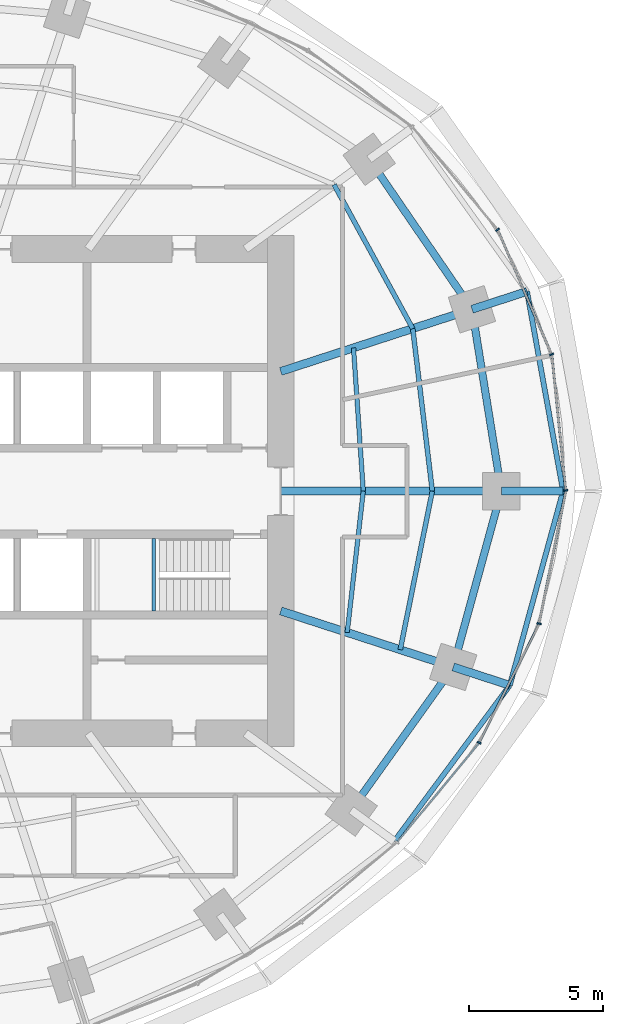
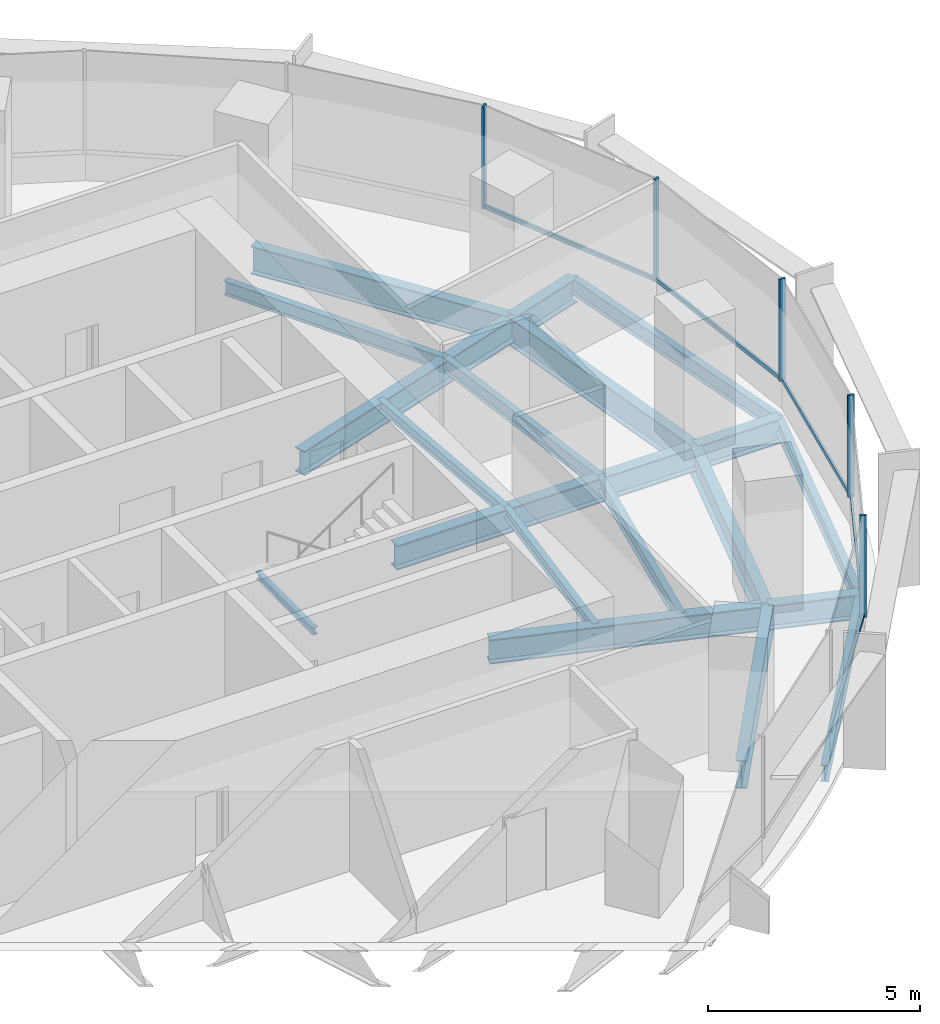
# One storey, part 6 of 15: 19 beams, 10 members, 2 elements without a shape of their own.
"""IFC4 building model written with IfcOpenShell, lengths in metres."""

from ifc_helpers import new_model, si_unit, direction, frame, origin, origin_2d, place, context, subcontext, project, spatial, rectangle, i_section, extrude, material, material_profile, profile_set, type_object, element, aggregate, save


model = new_model("IFC4")

# Units and contexts
model_context = context("Model", 3, precision=1e-05, world=origin(), true_north=direction((0.0, 1.0)))
body_context = subcontext(model_context, "Body", "Model", "MODEL_VIEW")
ifc_project = project(units=[si_unit("LENGTHUNIT", "METRE"), si_unit("AREAUNIT", "SQUARE_METRE"), si_unit("VOLUMEUNIT", "CUBIC_METRE"), si_unit("PLANEANGLEUNIT", "RADIAN"), si_unit("MASSUNIT", "GRAM", prefix="KILO")], contexts=[model_context])

# Site, building, storey
site_placement = place(None, origin())
site = spatial("IfcSite", under=ifc_project, at=site_placement, CompositionType="ELEMENT")
building_placement = place(site_placement, origin())
building = spatial("IfcBuilding", under=site, at=building_placement, Name="Marramba Exchange Tower", CompositionType="ELEMENT")
storey_placement = place(building_placement, frame((0.0, 0.0, 230.60009765625)))
storey = spatial("IfcBuildingStorey", under=building, at=storey_placement, Name="L56", CompositionType="ELEMENT", Elevation=230.60009765625)

# Beams
ifc_material_1 = material(Name="Steel AS/NZS 3679.2 grade 300", Category="steel")
ifc_material_profile_1 = material_profile(ifc_material_1, i_section(OverallWidth=0.300048828125, OverallDepth=0.699951171875, WebThickness=0.010009765625, FlangeThickness=0.031982421875, at=origin_2d()), Name="700WB173")
ifc_profile_set_1 = profile_set([ifc_material_profile_1], Name="Steel AS/NZS 3679.2 grade 300")
beam_type_1 = type_object("IfcBeamType", Name="Cantilever girder 700WB173", PredefinedType="BEAM", material=ifc_profile_set_1)
beam_1_placement = place(storey_placement, frame((21.89990234375, 0.0, -0.510009765625), z_axis=(1.0, 0.0, 0.0), x_axis=(0.0, 1.0, 0.0)))
element("IfcBeam", 1, at=beam_1_placement, inside=storey, type_object=beam_type_1, Name="Cantilever girder L56 TC01", PredefinedType="BEAM", context=body_context, shape_type="SweptSolid", body=[
    extrude(i_section(OverallWidth=0.300048828125, OverallDepth=0.699951171875, WebThickness=0.010009765625, FlangeThickness=0.031982421875, at=origin_2d()), origin(), (0.0, 0.0, 1.0), 2.294189453125),
])
beam_2_placement = place(storey_placement, frame((20.808349609375, 6.760986328125, -0.510009765625), z_axis=(0.951051587859, 0.309032162129, 0.0), x_axis=(-0.309032162129, 0.951051587859, 0.0)))
element("IfcBeam", 2, at=beam_2_placement, inside=storey, type_object=beam_type_1, Name="Cantilever girder L56 TC02", PredefinedType="BEAM", context=body_context, shape_type="SweptSolid", body=[
    extrude(i_section(OverallWidth=0.300048828125, OverallDepth=0.699951171875, WebThickness=0.010009765625, FlangeThickness=0.031982421875, at=origin_2d()), origin(), (0.0, 0.0, 1.0), 2.150390625),
])
beam_3_placement = place(storey_placement, frame((20.109375, -6.533935546875, -0.510009765625), z_axis=(0.951050283347, -0.309036176758, 0.0), x_axis=(0.309036176758, 0.951050283347, 0.0)))
element("IfcBeam", 3, at=beam_3_placement, inside=storey, type_object=beam_type_1, Name="Cantilever girder L56 TC20", PredefinedType="BEAM", context=body_context, shape_type="SweptSolid", body=[
    extrude(i_section(OverallWidth=0.300048828125, OverallDepth=0.699951171875, WebThickness=0.010009765625, FlangeThickness=0.031982421875, at=origin_2d()), origin(), (0.0, 0.0, 1.0), 2.212890625),
])
ifc_material_2 = material(Name="Steel AS/NZS 3679.1 grade 300", Category="steel")
ifc_material_profile_2 = material_profile(ifc_material_2, i_section(OverallWidth=0.166015625, OverallDepth=0.306884765625, WebThickness=0.006591796875, FlangeThickness=0.01171875, FilletRadius=0.011474609375, at=origin_2d()), Name="310UB46.2")
ifc_profile_set_2 = profile_set([ifc_material_profile_2], Name="Steel AS/NZS 3679.1 grade 300")
beam_type_2 = type_object("IfcBeamType", Name="Floor joist 310UB46.2", PredefinedType="JOIST", material=ifc_profile_set_2)
beam_4_placement = place(storey_placement, frame((16.7666015625, 0.0, -0.3134765625), z_axis=(-0.068096259546, 0.99767875563, 0.0), x_axis=(-0.99767875563, -0.068096259546, 0.0)))
element("IfcBeam", 4, at=beam_4_placement, inside=storey, type_object=beam_type_2, Name="Joist L56 bay 01 row 1", PredefinedType="JOIST", context=body_context, shape_type="SweptSolid", body=[
    extrude(i_section(OverallWidth=0.166015625, OverallDepth=0.306884765625, WebThickness=0.006591796875, FlangeThickness=0.01171875, FilletRadius=0.011474609375, at=origin_2d()), origin(), (0.0, 0.0, 1.0), 5.342041015625),
])
beam_5_placement = place(storey_placement, frame((16.169677734375, -5.25390625, -0.3134765625), z_axis=(0.112888968594, 0.993607609054, 0.0), x_axis=(-0.993607609054, 0.112888968594, 0.0)))
element("IfcBeam", 5, at=beam_5_placement, inside=storey, type_object=beam_type_2, Name="Joist L56 bay 20 row 1", PredefinedType="JOIST", context=body_context, shape_type="SweptSolid", body=[
    extrude(i_section(OverallWidth=0.166015625, OverallDepth=0.306884765625, WebThickness=0.006591796875, FlangeThickness=0.01171875, FilletRadius=0.011474609375, at=origin_2d()), origin(), (0.0, 0.0, 1.0), 5.28759765625),
])
ifc_material_profile_3 = material_profile(ifc_material_2, i_section(OverallWidth=0.177978515625, OverallDepth=0.406005859375, WebThickness=0.0078125, FlangeThickness=0.0126953125, FilletRadius=0.011474609375, at=origin_2d()), Name="410UB59.7")
ifc_profile_set_3 = profile_set([ifc_material_profile_3], Name="Steel AS/NZS 3679.1 grade 300")
beam_type_3 = type_object("IfcBeamType", Name="Floor joist 410UB59.7", PredefinedType="JOIST", material=ifc_profile_set_3)
beam_6_placement = place(storey_placement, frame((19.333251953125, 0.0, -0.363037109375), z_axis=(-0.119523078538, 0.992831422597, 0.0), x_axis=(-0.992831422597, -0.119523078538, 0.0)))
element("IfcBeam", 6, at=beam_6_placement, inside=storey, type_object=beam_type_3, Name="Joist L56 bay 01 row 2", PredefinedType="JOIST", context=body_context, shape_type="SweptSolid", body=[
    extrude(i_section(OverallWidth=0.177978515625, OverallDepth=0.406005859375, WebThickness=0.0078125, FlangeThickness=0.0126953125, FilletRadius=0.011474609375, at=origin_2d()), origin(), (0.0, 0.0, 1.0), 6.089111328125),
])
beam_7_placement = place(storey_placement, frame((18.60546875, 6.04541015625, -0.363037109375), z_axis=(-0.479584443791, 0.877495732909, 0.0), x_axis=(-0.877495732909, -0.479584443791, 0.0)))
element("IfcBeam", 7, at=beam_7_placement, inside=storey, type_object=beam_type_3, Name="Joist L56 bay 02 row 2", PredefinedType="JOIST", context=body_context, shape_type="SweptSolid", body=[
    extrude(i_section(OverallWidth=0.177978515625, OverallDepth=0.406005859375, WebThickness=0.0078125, FlangeThickness=0.0126953125, FilletRadius=0.011474609375, at=origin_2d()), origin(), (0.0, 0.0, 1.0), 6.094970703125),
])
beam_8_placement = place(storey_placement, frame((18.1396484375, -5.893798828125, -0.363037109375), z_axis=(0.198489047047, 0.980103105904, 0.0), x_axis=(-0.980103105904, 0.198489047047, 0.0)))
element("IfcBeam", 8, at=beam_8_placement, inside=storey, type_object=beam_type_3, Name="Joist L56 bay 20 row 2", PredefinedType="JOIST", context=body_context, shape_type="SweptSolid", body=[
    extrude(i_section(OverallWidth=0.177978515625, OverallDepth=0.406005859375, WebThickness=0.0078125, FlangeThickness=0.0126953125, FilletRadius=0.011474609375, at=origin_2d()), origin(), (0.0, 0.0, 1.0), 6.013427734375),
])

# Curtain wall, members
ifc_material_3 = material(Name="Aluminium framing, bronze anodised", Category="aluminium")
curtain_wall_type = type_object("IfcCurtainWallType", Name="Office ribbon curtain wall", PredefinedType="USERDEFINED", material=ifc_material_3)
curtain_wall_1_placement = place(storey_placement, origin())
curtain_wall_1 = element("IfcCurtainWall", 9, at=curtain_wall_1_placement, inside=storey, type_object=curtain_wall_type, Name="Curtain wall CW4 L56 F01-F05", ObjectType="RIBBON CURTAIN WALL", PredefinedType="USERDEFINED")
ifc_material_4 = material(Name="Aluminium mullion, bronze anodised", Category="aluminium")
ifc_material_profile_4 = material_profile(ifc_material_4, rectangle(XDim=0.159912109375, YDim=0.06005859375, at=origin_2d()), Name="CW4 mullion 60x160")
ifc_profile_set_4 = profile_set([ifc_material_profile_4], Name="Aluminium mullion, bronze anodised")
member_type_1 = type_object("IfcMemberType", Name="Office ribbon curtain wall mullion", PredefinedType="MULLION", material=ifc_profile_set_4)
member_1_placement = place(storey_placement, frame((24.291015625, 0.02978515625, 0.7998046875), z_axis=(0.0, 0.0, 1.0), x_axis=(-0.994843446001, -0.101422472607, 0.0)))
member_1 = element("IfcMember", 10, at=member_1_placement, type_object=member_type_1, Name="CW4 mullion 1", PredefinedType="MULLION", context=body_context, shape_type="SweptSolid", body=[
    extrude(rectangle(XDim=0.159912109375, YDim=0.06005859375, at=origin_2d()), origin(), (0.0, 0.0, 1.0), 2.940185546875),
])
member_2_placement = place(storey_placement, frame((23.766845703125, 5.081787109375, 0.7998046875), z_axis=(0.0, 0.0, 1.0), x_axis=(-0.918167104527, -0.396193346946, 0.0)))
member_2 = element("IfcMember", 11, at=member_2_placement, type_object=member_type_1, Name="CW4 mullion 1", PredefinedType="MULLION", context=body_context, shape_type="SweptSolid", body=[
    extrude(rectangle(XDim=0.159912109375, YDim=0.06005859375, at=origin_2d()), origin(), (0.0, 0.0, 1.0), 2.940185546875),
])
member_3_placement = place(storey_placement, frame((21.757080078125, 9.718505859375, 0.7998046875), z_axis=(0.0, 0.0, 1.0), x_axis=(-0.770574258342, -0.637350227411, 0.0)))
member_3 = element("IfcMember", 12, at=member_3_placement, type_object=member_type_1, Name="CW4 mullion 1", PredefinedType="MULLION", context=body_context, shape_type="SweptSolid", body=[
    extrude(rectangle(XDim=0.159912109375, YDim=0.06005859375, at=origin_2d()), origin(), (0.0, 0.0, 1.0), 2.940185546875),
])

curtain_wall_2_placement = place(storey_placement, origin())
curtain_wall_2 = element("IfcCurtainWall", 13, at=curtain_wall_2_placement, inside=storey, type_object=curtain_wall_type, Name="Curtain wall CW4 L56 F26-F30", ObjectType="RIBBON CURTAIN WALL", PredefinedType="USERDEFINED")
member_4_placement = place(storey_placement, frame((21.07568359375, -9.3505859375, 0.7998046875), z_axis=(0.0, 0.0, 1.0), x_axis=(-0.892689067591, 0.450673083956, 0.0)))
member_4 = element("IfcMember", 14, at=member_4_placement, type_object=member_type_1, Name="CW4 mullion 1", PredefinedType="MULLION", context=body_context, shape_type="SweptSolid", body=[
    extrude(rectangle(XDim=0.159912109375, YDim=0.06005859375, at=origin_2d()), origin(), (0.0, 0.0, 1.0), 2.940185546875),
])
member_5_placement = place(storey_placement, frame((23.30224609375, -4.92236328125, 0.7998046875), z_axis=(0.0, 0.0, 1.0), x_axis=(-0.980303812539, 0.197495405316, 0.0)))
member_5 = element("IfcMember", 15, at=member_5_placement, type_object=member_type_1, Name="CW4 mullion 1", PredefinedType="MULLION", context=body_context, shape_type="SweptSolid", body=[
    extrude(rectangle(XDim=0.159912109375, YDim=0.06005859375, at=origin_2d()), origin(), (0.0, 0.0, 1.0), 2.940185546875),
])

# Member
ifc_material_5 = material(Name="Aluminium transom, bronze anodised", Category="aluminium")
ifc_material_profile_5 = material_profile(ifc_material_5, rectangle(XDim=0.06005859375, YDim=0.1201171875, at=origin_2d()), Name="CW4 transom 60x120")
ifc_profile_set_5 = profile_set([ifc_material_profile_5], Name="Aluminium transom, bronze anodised")
member_type_2 = type_object("IfcMemberType", Name="Office ribbon curtain wall transom", PredefinedType="USERDEFINED", material=ifc_profile_set_5)
member_6_placement = place(storey_placement, frame((24.287841796875, 0.0595703125, 0.829833984375), z_axis=(-0.101386007846, 0.994847162841, 0.0), x_axis=(-0.994847162841, -0.101386007846, 0.0)))
member_6 = element("IfcMember", 16, at=member_6_placement, type_object=member_type_2, Name="CW4 sill transom", ObjectType="TRANSOM", PredefinedType="USERDEFINED", context=body_context, shape_type="SweptSolid", body=[
    extrude(rectangle(XDim=0.06005859375, YDim=0.1201171875, at=origin_2d()), origin(), (0.0, 0.0, 1.0), 5.020751953125),
])

member_7_placement = place(storey_placement, frame((23.7548828125, 5.109375, 0.829833984375), z_axis=(-0.396177573744, 0.918173910576, 0.0), x_axis=(-0.918173910576, -0.396177573744, 0.0)))
member_7 = element("IfcMember", 17, at=member_7_placement, type_object=member_type_2, Name="CW4 sill transom", ObjectType="TRANSOM", PredefinedType="USERDEFINED", context=body_context, shape_type="SweptSolid", body=[
    extrude(rectangle(XDim=0.06005859375, YDim=0.1201171875, at=origin_2d()), origin(), (0.0, 0.0, 1.0), 4.99462890625),
])

aggregate(curtain_wall_1, [member_1, member_6, member_2, member_7, member_3])

member_8_placement = place(storey_placement, frame((18.03515625, -13.029296875, 0.829833984375), z_axis=(0.638146908901, 0.76991462037, 0.0), x_axis=(-0.76991462037, 0.638146908901, 0.0)))
member_8 = element("IfcMember", 18, at=member_8_placement, type_object=member_type_2, Name="CW4 sill transom", ObjectType="TRANSOM", PredefinedType="USERDEFINED", context=body_context, shape_type="SweptSolid", body=[
    extrude(rectangle(XDim=0.06005859375, YDim=0.1201171875, at=origin_2d()), origin(), (0.0, 0.0, 1.0), 4.7431640625),
])

member_9_placement = place(storey_placement, frame((21.089111328125, -9.323974609375, 0.829833984375), z_axis=(0.450679681949, 0.892685736572, 0.0), x_axis=(-0.892685736572, 0.450679681949, 0.0)))
member_9 = element("IfcMember", 19, at=member_9_placement, type_object=member_type_2, Name="CW4 sill transom", ObjectType="TRANSOM", PredefinedType="USERDEFINED", context=body_context, shape_type="SweptSolid", body=[
    extrude(rectangle(XDim=0.06005859375, YDim=0.1201171875, at=origin_2d()), origin(), (0.0, 0.0, 1.0), 4.897705078125),
])

member_10_placement = place(storey_placement, frame((23.308349609375, -4.89306640625, 0.829833984375), z_axis=(0.197461053167, 0.980310732616, 0.0), x_axis=(-0.980310732616, 0.197461053167, 0.0)))
member_10 = element("IfcMember", 20, at=member_10_placement, type_object=member_type_2, Name="CW4 sill transom", ObjectType="TRANSOM", PredefinedType="USERDEFINED", context=body_context, shape_type="SweptSolid", body=[
    extrude(rectangle(XDim=0.06005859375, YDim=0.1201171875, at=origin_2d()), origin(), (0.0, 0.0, 1.0), 4.991455078125),
])

aggregate(curtain_wall_2, [member_8, member_4, member_9, member_5, member_10])

# Beams
ifc_material_profile_6 = material_profile(ifc_material_1, i_section(OverallWidth=0.300048828125, OverallDepth=0.699951171875, WebThickness=0.010009765625, FlangeThickness=0.031982421875, at=origin_2d()), Name="700WB173")
ifc_profile_set_6 = profile_set([ifc_material_profile_6], Name="Steel AS/NZS 3679.2 grade 300")
beam_type_4 = type_object("IfcBeamType", Name="Radial girder 700WB173", PredefinedType="BEAM", material=ifc_profile_set_6)
beam_9_placement = place(storey_placement, frame((13.699951171875, 0.0, -0.510009765625), z_axis=(1.0, 0.0, 0.0), x_axis=(0.0, 1.0, 0.0)))
element("IfcBeam", 21, at=beam_9_placement, inside=storey, type_object=beam_type_4, Name="Radial girder L56 TC01", PredefinedType="BEAM", context=body_context, shape_type="SweptSolid", body=[
    extrude(i_section(OverallWidth=0.300048828125, OverallDepth=0.699951171875, WebThickness=0.010009765625, FlangeThickness=0.031982421875, at=origin_2d()), origin(), (0.0, 0.0, 1.0), 8.199951171875),
])
beam_10_placement = place(storey_placement, frame((13.699951171875, 4.451416015625, -0.510009765625), z_axis=(0.951059990189, 0.309006302624, 0.0), x_axis=(-0.309006302624, 0.951059990189, 0.0)))
element("IfcBeam", 22, at=beam_10_placement, inside=storey, type_object=beam_type_4, Name="Radial girder L56 TC02", PredefinedType="BEAM", context=body_context, shape_type="SweptSolid", body=[
    extrude(i_section(OverallWidth=0.300048828125, OverallDepth=0.699951171875, WebThickness=0.010009765625, FlangeThickness=0.031982421875, at=origin_2d()), origin(), (0.0, 0.0, 1.0), 7.47412109375),
])
beam_11_placement = place(storey_placement, frame((13.699951171875, -4.451416015625, -0.510009765625), z_axis=(0.951057759669, -0.309013167637, 0.0), x_axis=(0.309013167637, 0.951057759669, 0.0)))
element("IfcBeam", 23, at=beam_11_placement, inside=storey, type_object=beam_type_4, Name="Radial girder L56 TC20", PredefinedType="BEAM", context=body_context, shape_type="SweptSolid", body=[
    extrude(i_section(OverallWidth=0.300048828125, OverallDepth=0.699951171875, WebThickness=0.010009765625, FlangeThickness=0.031982421875, at=origin_2d()), origin(), (0.0, 0.0, 1.0), 6.7392578125),
])
ifc_material_profile_7 = material_profile(ifc_material_1, i_section(OverallWidth=0.27490234375, OverallDepth=0.800048828125, WebThickness=0.010009765625, FlangeThickness=0.02490234375, at=origin_2d()), Name="800WB168")
ifc_profile_set_7 = profile_set([ifc_material_profile_7], Name="Steel AS/NZS 3679.2 grade 300")
beam_type_5 = type_object("IfcBeamType", Name="Ring beam 800WB168", PredefinedType="SPANDREL", material=ifc_profile_set_7)
beam_12_placement = place(storey_placement, frame((21.89990234375, 0.0, -0.56005859375), z_axis=(-0.159384865399, 0.987216523708, 0.0), x_axis=(-0.987216523708, -0.159384865399, 0.0)))
element("IfcBeam", 24, at=beam_12_placement, inside=storey, type_object=beam_type_5, Name="Ring beam L56 TC01-TC02", PredefinedType="SPANDREL", context=body_context, shape_type="SweptSolid", body=[
    extrude(i_section(OverallWidth=0.27490234375, OverallDepth=0.800048828125, WebThickness=0.010009765625, FlangeThickness=0.02490234375, at=origin_2d()), origin(), (0.0, 0.0, 1.0), 6.8486328125),
])
beam_13_placement = place(storey_placement, frame((20.808349609375, 6.760986328125, -0.56005859375), z_axis=(-0.56516002054, 0.824981303535, 0.0), x_axis=(-0.824981303535, -0.56516002054, 0.0)))
element("IfcBeam", 25, at=beam_13_placement, inside=storey, type_object=beam_type_5, Name="Ring beam L56 TC02-TC03", PredefinedType="SPANDREL", context=body_context, shape_type="SweptSolid", body=[
    extrude(i_section(OverallWidth=0.27490234375, OverallDepth=0.800048828125, WebThickness=0.010009765625, FlangeThickness=0.02490234375, at=origin_2d()), origin(), (0.0, 0.0, 1.0), 6.763671875),
])
beam_14_placement = place(storey_placement, frame((16.3154296875, -11.853759765625, -0.56005859375), z_axis=(0.580637181111, 0.814162430914, 0.0), x_axis=(-0.814162430914, 0.580637181111, 0.0)))
element("IfcBeam", 26, at=beam_14_placement, inside=storey, type_object=beam_type_5, Name="Ring beam L56 TC19-TC20", PredefinedType="SPANDREL", context=body_context, shape_type="SweptSolid", body=[
    extrude(i_section(OverallWidth=0.27490234375, OverallDepth=0.800048828125, WebThickness=0.010009765625, FlangeThickness=0.02490234375, at=origin_2d()), origin(), (0.0, 0.0, 1.0), 6.5341796875),
])
beam_15_placement = place(storey_placement, frame((20.109375, -6.533935546875, -0.56005859375), z_axis=(0.264291166956, 0.964442937176, 0.0), x_axis=(-0.964442937176, 0.264291166956, 0.0)))
element("IfcBeam", 27, at=beam_15_placement, inside=storey, type_object=beam_type_5, Name="Ring beam L56 TC20-TC01", PredefinedType="SPANDREL", context=body_context, shape_type="SweptSolid", body=[
    extrude(i_section(OverallWidth=0.27490234375, OverallDepth=0.800048828125, WebThickness=0.010009765625, FlangeThickness=0.02490234375, at=origin_2d()), origin(), (0.0, 0.0, 1.0), 6.77490234375),
])
ifc_material_profile_8 = material_profile(ifc_material_2, i_section(OverallWidth=0.19091796875, OverallDepth=0.4599609375, WebThickness=0.010009765625, FlangeThickness=0.01611328125, FilletRadius=0.011474609375, at=origin_2d()), Name="460UB82.1")
ifc_profile_set_8 = profile_set([ifc_material_profile_8], Name="Steel AS/NZS 3679.1 grade 300")
beam_type_6 = type_object("IfcBeamType", Name="Slab edge beam 460UB82.1", PredefinedType="SPANDREL", material=ifc_profile_set_8)
beam_16_placement = place(storey_placement, frame((24.194091796875, 0.0, -0.39013671875), z_axis=(-0.177663817107, 0.984091239719, 0.0), x_axis=(-0.984091239719, -0.177663817107, 0.0)))
element("IfcBeam", 28, at=beam_16_placement, inside=storey, type_object=beam_type_6, Name="Slab edge beam L56 TC01-TC02", PredefinedType="SPANDREL", context=body_context, shape_type="SweptSolid", body=[
    extrude(i_section(OverallWidth=0.19091796875, OverallDepth=0.4599609375, WebThickness=0.010009765625, FlangeThickness=0.01611328125, FilletRadius=0.011474609375, at=origin_2d()), origin(), (0.0, 0.0, 1.0), 7.545654296875),
])
beam_17_placement = place(storey_placement, frame((17.916015625, -13.016845703125, -0.39013671875), z_axis=(0.595428136035, 0.803408572781, 0.0), x_axis=(-0.803408572781, 0.595428136035, 0.0)))
element("IfcBeam", 29, at=beam_17_placement, inside=storey, type_object=beam_type_6, Name="Slab edge beam L56 TC19-TC20", PredefinedType="SPANDREL", context=body_context, shape_type="SweptSolid", body=[
    extrude(i_section(OverallWidth=0.19091796875, OverallDepth=0.4599609375, WebThickness=0.010009765625, FlangeThickness=0.01611328125, FilletRadius=0.011474609375, at=origin_2d()), origin(), (0.0, 0.0, 1.0), 7.218017578125),
])
beam_18_placement = place(storey_placement, frame((22.2138671875, -7.2177734375, -0.39013671875), z_axis=(0.264577205901, 0.964364506874, 0.0), x_axis=(-0.964364506874, 0.264577205901, 0.0)))
element("IfcBeam", 30, at=beam_18_placement, inside=storey, type_object=beam_type_6, Name="Slab edge beam L56 TC20-TC01", PredefinedType="SPANDREL", context=body_context, shape_type="SweptSolid", body=[
    extrude(i_section(OverallWidth=0.19091796875, OverallDepth=0.4599609375, WebThickness=0.010009765625, FlangeThickness=0.01611328125, FilletRadius=0.011474609375, at=origin_2d()), origin(), (0.0, 0.0, 1.0), 7.484375),
])
ifc_material_profile_9 = material_profile(ifc_material_2, i_section(OverallWidth=0.133056640625, OverallDepth=0.202880859375, WebThickness=0.005859375, FlangeThickness=0.0078125, FilletRadius=0.0087890625, at=origin_2d()), Name="200UB25.4")
ifc_profile_set_9 = profile_set([ifc_material_profile_9], Name="Steel AS/NZS 3679.1 grade 300")
beam_type_7 = type_object("IfcBeamType", Name="Stair landing beam 200UB25.4", PredefinedType="BEAM", material=ifc_profile_set_9)
beam_19_placement = place(storey_placement, frame((8.9833984375, -4.449951171875, 1.6484375), z_axis=(0.0, 1.0, 0.0), x_axis=(-1.0, 0.0, 0.0)))
element("IfcBeam", 31, at=beam_19_placement, inside=storey, type_object=beam_type_7, Name="Stair landing beam SLB1 ST2 L56 2", PredefinedType="BEAM", context=body_context, shape_type="SweptSolid", body=[
    extrude(i_section(OverallWidth=0.133056640625, OverallDepth=0.202880859375, WebThickness=0.005859375, FlangeThickness=0.0078125, FilletRadius=0.0087890625, at=origin_2d()), origin(), (0.0, 0.0, 1.0), 2.699951171875),
])

save(model, "model.ifc")
